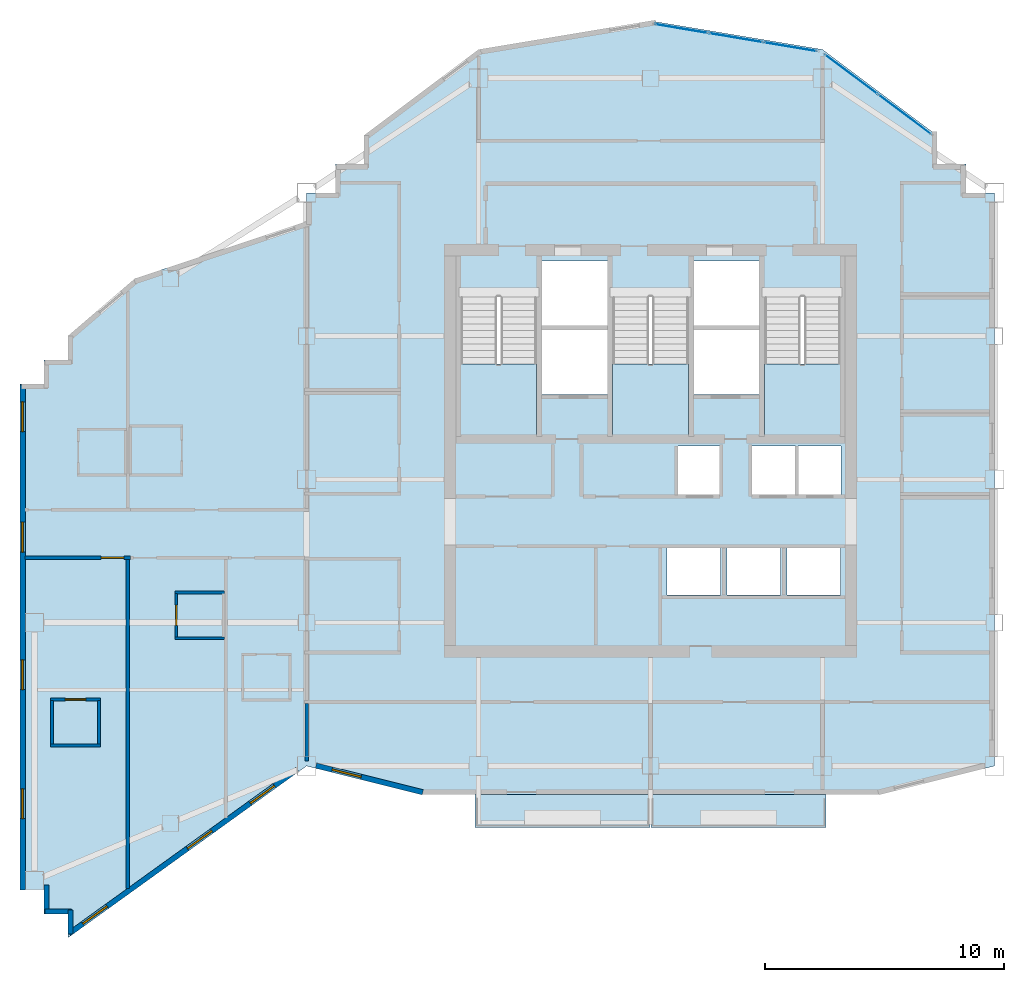
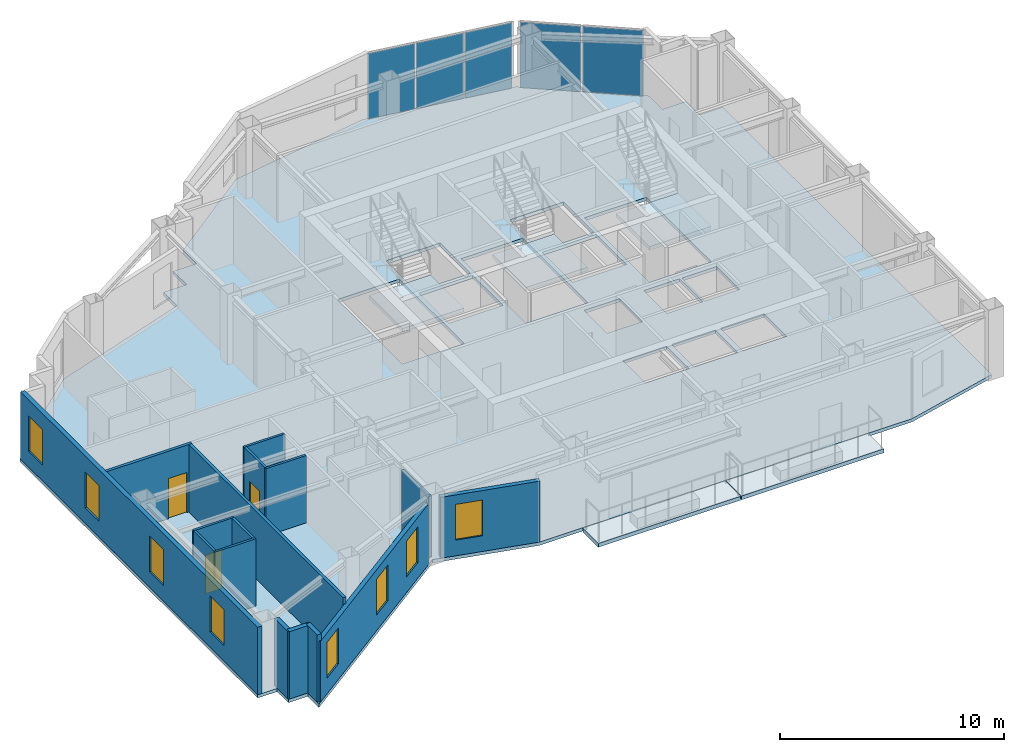
# One storey, part 4 of 9: 16 walls, 8 windows, 6 slabs, 5 plates, 3 doors, 11 openings, 5 elements without a shape of their own.
"""IFC4 building model written with IfcOpenShell, lengths in metres."""

from ifc_helpers import new_model, si_unit, direction, frame, frame_2d, origin, origin_2d, place, context, subcontext, project, spatial, polyline, rectangle, outline, extrude, material, layer, layer_set, type_object, element, fill, aggregate, save


model = new_model("IFC4")

# Units and contexts
model_context = context("Model", 3, precision=1e-05, world=origin(), true_north=direction((0.0, 1.0)))
body_context = subcontext(model_context, "Body", "Model", "MODEL_VIEW")
ifc_project = project(units=[si_unit("LENGTHUNIT", "METRE"), si_unit("AREAUNIT", "SQUARE_METRE"), si_unit("VOLUMEUNIT", "CUBIC_METRE"), si_unit("PLANEANGLEUNIT", "RADIAN"), si_unit("MASSUNIT", "GRAM", prefix="KILO")], contexts=[model_context])

# Site, building, storey
site_placement = place(None, origin())
site = spatial("IfcSite", under=ifc_project, at=site_placement, CompositionType="ELEMENT")
building_placement = place(site_placement, origin())
building = spatial("IfcBuilding", under=site, at=building_placement, Name="Haolan Belvedere Tower", CompositionType="ELEMENT")
storey_placement = place(building_placement, frame((0.0, 0.0, 262.14990234375)))
storey = spatial("IfcBuildingStorey", under=building, at=storey_placement, Name="L66", CompositionType="ELEMENT", Elevation=262.14990234375)

# Curtain wall, plates
ifc_material_1 = material(Name="Anodised champagne-silver aluminium 6063-T6 and Low-E glass", Category="aluminium")
ifc_layer_1 = layer(ifc_material_1, 0.14501953125, Name="Anodised champagne-silver aluminium 6063-T6 and Low-E glass")
ifc_layer_set_1 = layer_set([ifc_layer_1], Name="Anodised champagne-silver aluminium 6063-T6 and Low-E glass")
curtain_wall_type = type_object("IfcCurtainWallType", Name="CW-SYS-05", PredefinedType="NOTDEFINED", material=ifc_layer_set_1)
curtain_wall_1_placement = place(storey_placement, origin())
curtain_wall_1 = element("IfcCurtainWall", 1, at=curtain_wall_1_placement, inside=storey, type_object=curtain_wall_type, Name="L66 CW-SYS-05 ribbon curtain wall 8.1", PredefinedType="NOTDEFINED")
ifc_material_2 = material(Name="Double silver Low-E laminated insulating glass", Category="glass")
ifc_layer_2 = layer(ifc_material_2, 0.02197265625, Name="Double silver Low-E laminated insulating glass")
ifc_layer_set_2 = layer_set([ifc_layer_2], Name="Double silver Low-E laminated insulating glass")
plate_type = type_object("IfcPlateType", Name="CW-SYS-05-PNL", PredefinedType="CURTAIN_PANEL", material=ifc_layer_set_2)
plate_1_placement = place(storey_placement, frame((49.03955078125, 48.8828125, 0.05029296875), z_axis=(0.0, 0.0, 1.0), x_axis=(-0.799997871638, 0.600002837806, 0.0)))
plate_1 = element("IfcPlate", 2, at=plate_1_placement, type_object=plate_type, Name="CW-05 panel 1.1", PredefinedType="CURTAIN_PANEL", context=body_context, shape_type="SweptSolid", body=[
    extrude(rectangle(XDim=2.738037109375, YDim=0.02197265625, at=origin_2d()), origin(), (0.0, 0.0, 1.0), 3.570068359375),
])
plate_2_placement = place(storey_placement, frame((46.805908203125, 50.55810546875, 0.05029296875), z_axis=(0.0, 0.0, 1.0), x_axis=(-0.799997871638, 0.600002837806, 0.0)))
plate_2 = element("IfcPlate", 3, at=plate_2_placement, type_object=plate_type, Name="CW-05 panel 2.1", PredefinedType="CURTAIN_PANEL", context=body_context, shape_type="SweptSolid", body=[
    extrude(rectangle(XDim=2.738037109375, YDim=0.02197265625, at=origin_2d()), origin(), (0.0, 0.0, 1.0), 3.570068359375),
])
aggregate(curtain_wall_1, [plate_1, plate_2])

curtain_wall_2_placement = place(storey_placement, origin())
curtain_wall_2 = element("IfcCurtainWall", 4, at=curtain_wall_2_placement, inside=storey, type_object=curtain_wall_type, Name="L66 CW-SYS-05 ribbon curtain wall 9.1", PredefinedType="NOTDEFINED")
plate_3_placement = place(storey_placement, frame((44.257568359375, 51.712158203125, 0.05029296875), z_axis=(0.0, 0.0, 1.0), x_axis=(-0.98639276122, 0.164405962825, 0.0)))
plate_3 = element("IfcPlate", 5, at=plate_3_placement, type_object=plate_type, Name="CW-05 panel 1.1", PredefinedType="CURTAIN_PANEL", context=body_context, shape_type="SweptSolid", body=[
    extrude(rectangle(XDim=2.24365234375, YDim=0.02197265625, at=origin_2d()), origin(), (0.0, 0.0, 1.0), 3.570068359375),
])
plate_4_placement = place(storey_placement, frame((41.977783203125, 52.09228515625, 0.05029296875), z_axis=(0.0, 0.0, 1.0), x_axis=(-0.98639276122, 0.164405962825, 0.0)))
plate_4 = element("IfcPlate", 6, at=plate_4_placement, type_object=plate_type, Name="CW-05 panel 2.1", PredefinedType="CURTAIN_PANEL", context=body_context, shape_type="SweptSolid", body=[
    extrude(rectangle(XDim=2.270751953125, YDim=0.02197265625, at=origin_2d()), origin(), (0.0, 0.0, 1.0), 3.570068359375),
])
plate_5_placement = place(storey_placement, frame((39.697998046875, 52.47216796875, 0.05029296875), z_axis=(0.0, 0.0, 1.0), x_axis=(-0.98639276122, 0.164405962825, 0.0)))
plate_5 = element("IfcPlate", 7, at=plate_5_placement, type_object=plate_type, Name="CW-05 panel 3.1", PredefinedType="CURTAIN_PANEL", context=body_context, shape_type="SweptSolid", body=[
    extrude(rectangle(XDim=2.24365234375, YDim=0.02197265625, at=origin_2d()), origin(), (0.0, 0.0, 1.0), 3.570068359375),
])
aggregate(curtain_wall_2, [plate_3, plate_4, plate_5])

# Slabs
ifc_material_3 = material(Name="Concrete C40/50", Category="concrete")
ifc_layer_3 = layer(ifc_material_3, 0.2099609375, Name="Concrete C40/50")
ifc_layer_set_3 = layer_set([ifc_layer_3], Name="Concrete C40/50")
slab_type_1 = type_object("IfcSlabType", Name="SL-BAL-210", PredefinedType="FLOOR", material=ifc_layer_set_3)
slab_1_placement = place(storey_placement, frame((0.0, 0.0, -0.22998046875)))
element("IfcSlab", 8, at=slab_1_placement, inside=storey, type_object=slab_type_1, Name="L66 structural tree-planter balcony slab BAL-L66-S1", PredefinedType="FLOOR", context=body_context, shape_type="SweptSolid", body=[
    extrude(outline(polyline([(31.050048828125, 19.02001953125), (38.3798828125, 19.02001953125), (38.3798828125, 20.39990234375), (31.050048828125, 20.39990234375), (31.050048828125, 19.02001953125)])), origin(), (0.0, 0.0, 1.0), 0.2099609375),
])
slab_2_placement = place(storey_placement, frame((0.0, 0.0, -0.22998046875)))
element("IfcSlab", 9, at=slab_2_placement, inside=storey, type_object=slab_type_1, Name="L66 structural tree-planter balcony slab BAL-L66-S2", PredefinedType="FLOOR", context=body_context, shape_type="SweptSolid", body=[
    extrude(outline(polyline([(38.419921875, 19.02001953125), (45.75, 19.02001953125), (45.75, 20.39990234375), (38.419921875, 20.39990234375), (38.419921875, 19.02001953125)])), origin(), (0.0, 0.0, 1.0), 0.2099609375),
])
ifc_layer_4 = layer(ifc_material_3, 0.179931640625, Name="Concrete C40/50")
ifc_layer_set_4 = layer_set([ifc_layer_4], Name="Concrete C40/50")
slab_type_2 = type_object("IfcSlabType", Name="SL-FLR-180", PredefinedType="FLOOR", material=ifc_layer_set_4)
slab_3_placement = place(storey_placement, frame((0.0, 0.0, -0.179931640625)))
element("IfcSlab", 10, at=slab_3_placement, inside=storey, type_object=slab_type_2, Name="L66 structural floor slab", PredefinedType="FLOOR", context=body_context, shape_type="SweptSolid", body=[
    extrude(outline(polyline([(24.0, 21.60009765625), (28.800048828125, 20.39990234375), (48.0, 20.39990234375), (52.800048828125, 21.60009765625), (52.800048828125, 45.60009765625), (51.60009765625, 45.60009765625), (51.60009765625, 46.800048828125), (50.39990234375, 46.800048828125), (50.39990234375, 48.0), (45.60009765625, 51.60009765625), (38.39990234375, 52.800048828125), (31.199951171875, 51.60009765625), (26.39990234375, 48.0), (26.39990234375, 46.800048828125), (25.199951171875, 46.800048828125), (25.199951171875, 45.60009765625), (24.0, 45.60009765625), (24.0, 44.39990234375), (16.800048828125, 42.0), (14.0, 39.60009765625), (14.0, 38.60009765625), (13.0, 38.60009765625), (13.0, 37.60009765625), (12.0, 37.60009765625), (12.0, 16.800048828125), (12.0, 16.39990234375), (13.0, 16.39990234375), (13.0, 15.39990234375), (14.0, 15.39990234375), (14.0, 14.39990234375), (24.0, 21.60009765625)]), holes=[polyline([(30.449951171875, 41.22998046875), (30.449951171875, 35.449951171875), (33.6298828125, 35.449951171875), (33.6298828125, 41.22998046875), (30.449951171875, 41.22998046875)]), polyline([(36.81005859375, 41.22998046875), (36.81005859375, 35.449951171875), (39.989990234375, 35.449951171875), (39.989990234375, 41.22998046875), (36.81005859375, 41.22998046875)]), polyline([(43.169921875, 41.22998046875), (43.169921875, 35.449951171875), (46.35009765625, 35.449951171875), (46.35009765625, 41.22998046875), (43.169921875, 41.22998046875)]), polyline([(33.830078125, 40.050048828125), (36.610107421875, 40.050048828125), (36.610107421875, 42.75), (33.830078125, 42.75), (33.830078125, 40.050048828125)]), polyline([(33.830078125, 37.14990234375), (36.610107421875, 37.14990234375), (36.610107421875, 39.85009765625), (33.830078125, 39.85009765625), (33.830078125, 37.14990234375)]), polyline([(40.18994140625, 40.050048828125), (42.969970703125, 40.050048828125), (42.969970703125, 42.75), (40.18994140625, 42.75), (40.18994140625, 40.050048828125)]), polyline([(40.18994140625, 37.14990234375), (42.969970703125, 37.14990234375), (42.969970703125, 39.85009765625), (40.18994140625, 39.85009765625), (40.18994140625, 37.14990234375)]), polyline([(39.5400390625, 32.949951171875), (41.389892578125, 32.949951171875), (41.389892578125, 35.0), (39.5400390625, 35.0), (39.5400390625, 32.949951171875)]), polyline([(42.6201171875, 32.949951171875), (44.469970703125, 32.949951171875), (44.469970703125, 35.0), (42.6201171875, 35.0), (42.6201171875, 32.949951171875)]), polyline([(44.580078125, 32.949951171875), (46.3798828125, 32.949951171875), (46.3798828125, 35.0), (44.580078125, 35.0), (44.580078125, 32.949951171875)]), polyline([(39.10009765625, 28.75), (41.340087890625, 28.75), (41.340087890625, 30.75), (39.10009765625, 30.75), (39.10009765625, 28.75)]), polyline([(41.610107421875, 28.75), (43.85009765625, 28.75), (43.85009765625, 30.75), (41.610107421875, 30.75), (41.610107421875, 28.75)]), polyline([(44.1201171875, 28.75), (46.360107421875, 28.75), (46.360107421875, 30.75), (44.1201171875, 30.75), (44.1201171875, 28.75)])]), origin(), (0.0, 0.0, 1.0), 0.179931640625),
])

# Stair, slab
stair_type = type_object("IfcStairType", Name="STR-DL-22R-175", PredefinedType="HALF_TURN_STAIR", material=ifc_material_3)
stair_1_placement = place(storey_placement, origin())
stair_1 = element("IfcStair", 11, at=stair_1_placement, inside=storey, type_object=stair_type, Name="L66 Smokeproof Core Exit Stair ST1", PredefinedType="HALF_TURN_STAIR")
ifc_layer_5 = layer(ifc_material_3, 0.199951171875, Name="Concrete C40/50")
ifc_layer_set_5 = layer_set([ifc_layer_5], Name="Concrete C40/50")
slab_type_3 = type_object("IfcSlabType", Name="SL-LAND-200", PredefinedType="LANDING", material=ifc_layer_set_5)
slab_4_placement = place(storey_placement, frame((0.0, 0.0, 1.72509765625)))
slab_4 = element("IfcSlab", 12, at=slab_4_placement, type_object=slab_type_3, Name="ST1 landing 1", PredefinedType="LANDING", context=body_context, shape_type="SweptSolid", body=[
    extrude(outline(polyline([(30.449951171875, 38.429931640625), (30.449951171875, 35.449951171875), (33.6298828125, 35.449951171875), (33.6298828125, 38.429931640625), (30.449951171875, 38.429931640625)])), origin(), (0.0, 0.0, 1.0), 0.199951171875),
])
aggregate(stair_1, [slab_4])

stair_2_placement = place(storey_placement, origin())
stair_2 = element("IfcStair", 13, at=stair_2_placement, inside=storey, type_object=stair_type, Name="L66 Smokeproof Core Exit Stair ST3", PredefinedType="HALF_TURN_STAIR")
slab_5_placement = place(storey_placement, frame((0.0, 0.0, 1.72509765625)))
slab_5 = element("IfcSlab", 14, at=slab_5_placement, type_object=slab_type_3, Name="ST3 landing 1", PredefinedType="LANDING", context=body_context, shape_type="SweptSolid", body=[
    extrude(outline(polyline([(36.81005859375, 38.429931640625), (36.81005859375, 35.449951171875), (39.989990234375, 35.449951171875), (39.989990234375, 38.429931640625), (36.81005859375, 38.429931640625)])), origin(), (0.0, 0.0, 1.0), 0.199951171875),
])
aggregate(stair_2, [slab_5])

stair_3_placement = place(storey_placement, origin())
stair_3 = element("IfcStair", 15, at=stair_3_placement, inside=storey, type_object=stair_type, Name="L66 Smokeproof Core Exit Stair ST2", PredefinedType="HALF_TURN_STAIR")
slab_6_placement = place(storey_placement, frame((0.0, 0.0, 1.72509765625)))
slab_6 = element("IfcSlab", 16, at=slab_6_placement, type_object=slab_type_3, Name="ST2 landing 1", PredefinedType="LANDING", context=body_context, shape_type="SweptSolid", body=[
    extrude(outline(polyline([(43.169921875, 38.429931640625), (43.169921875, 35.449951171875), (46.35009765625, 35.449951171875), (46.35009765625, 38.429931640625), (43.169921875, 38.429931640625)])), origin(), (0.0, 0.0, 1.0), 0.199951171875),
])
aggregate(stair_3, [slab_6])

# Wall, openings, windows
ifc_material_4 = material(Name="Precast concrete C40/50", Category="concrete")
ifc_layer_6 = layer(ifc_material_4, 0.219970703125, Name="Precast concrete C40/50")
ifc_layer_set_6 = layer_set([ifc_layer_6], Name="Precast concrete C40/50")
wall_type_1 = type_object("IfcWallType", Name="WL-EXT-220", PredefinedType="SOLIDWALL", material=ifc_layer_set_6)
wall_1_placement = place(storey_placement, frame((12.110107421875, 37.544921875, 0.0), z_axis=(0.0, 0.0, 1.0), x_axis=(0.0, -1.0, 0.0)))
wall_1 = element("IfcWall", 17, at=wall_1_placement, inside=storey, type_object=wall_type_1, Name="L66 pale-metal exterior spandrel wall 23.1", PredefinedType="SOLIDWALL", context=body_context, shape_type="SweptSolid", body=[
    extrude(rectangle(XDim=21.14501953125, YDim=0.219970703125, at=frame_2d((10.572509765625, 0.0))), origin(), (0.0, 0.0, 1.0), 3.670166015625),
])
opening_1_placement = place(wall_1_placement, frame((0.699951171875, 0.0, 0.85009765625)))
opening_1 = element("IfcOpeningElement", 18, at=opening_1_placement, cuts=wall_1, Name="Opening W-04", PredefinedType="OPENING", context=body_context, shape_type="SweptSolid", body=[
    extrude(rectangle(XDim=1.25, YDim=1.949951171875, at=frame_2d((0.625, 0.97509765625))), frame((0.0, 0.119873046875, 0.0), z_axis=(0.0, -1.0, 0.0), x_axis=(1.0, 0.0, 0.0)), (0.0, 0.0, 1.0), 0.239990234375),
])
opening_2_placement = place(wall_1_placement, frame((5.739990234375, 0.0, 0.85009765625)))
opening_2 = element("IfcOpeningElement", 19, at=opening_2_placement, cuts=wall_1, Name="Opening W-04", PredefinedType="OPENING", context=body_context, shape_type="SweptSolid", body=[
    extrude(rectangle(XDim=1.25, YDim=1.949951171875, at=frame_2d((0.625, 0.97509765625))), frame((0.0, 0.119873046875, 0.0), z_axis=(0.0, -1.0, 0.0), x_axis=(1.0, 0.0, 0.0)), (0.0, 0.0, 1.0), 0.239990234375),
])
opening_3_placement = place(wall_1_placement, frame((11.5, 0.0, 0.85009765625)))
opening_3 = element("IfcOpeningElement", 20, at=opening_3_placement, cuts=wall_1, Name="Opening W-04", PredefinedType="OPENING", context=body_context, shape_type="SweptSolid", body=[
    extrude(rectangle(XDim=1.25, YDim=1.949951171875, at=frame_2d((0.625, 0.97509765625))), frame((0.0, 0.119873046875, 0.0), z_axis=(0.0, -1.0, 0.0), x_axis=(1.0, 0.0, 0.0)), (0.0, 0.0, 1.0), 0.239990234375),
])
opening_4_placement = place(wall_1_placement, frame((16.89990234375, 0.0, 0.85009765625)))
opening_4 = element("IfcOpeningElement", 21, at=opening_4_placement, cuts=wall_1, Name="Opening W-04", PredefinedType="OPENING", context=body_context, shape_type="SweptSolid", body=[
    extrude(rectangle(XDim=1.25, YDim=1.949951171875, at=frame_2d((0.625, 0.97509765625))), frame((0.0, 0.119873046875, 0.0), z_axis=(0.0, -1.0, 0.0), x_axis=(1.0, 0.0, 0.0)), (0.0, 0.0, 1.0), 0.239990234375),
])
ifc_material_5 = material(Name="Anodised aluminium 6063-T6 and Low-E glass", Category="aluminium")
window_type = type_object("IfcWindowType", Name="WN-DECO-Z4", PartitioningType="SINGLE_PANEL", PredefinedType="WINDOW", material=ifc_material_5)
window_1_placement = place(opening_1_placement, origin())
window_1 = element("IfcWindow", 22, at=window_1_placement, inside=storey, type_object=window_type, Name="L66 Art Deco chevron window 1", OverallHeight=1.949951171875, OverallWidth=1.25, PartitioningType="SINGLE_PANEL", PredefinedType="WINDOW", context=body_context, shape_type="SweptSolid", body=[
    extrude(rectangle(XDim=1.25, YDim=1.949951171875, at=frame_2d((0.625, 0.97509765625))), frame((0.0, 0.030029296875, 0.0), z_axis=(0.0, -1.0, 0.0), x_axis=(1.0, 0.0, 0.0)), (0.0, 0.0, 1.0), 0.06005859375),
])
fill(opening_1, window_1)
window_2_placement = place(opening_2_placement, origin())
window_2 = element("IfcWindow", 23, at=window_2_placement, inside=storey, type_object=window_type, Name="L66 Art Deco chevron window 2", OverallHeight=1.949951171875, OverallWidth=1.25, PartitioningType="SINGLE_PANEL", PredefinedType="WINDOW", context=body_context, shape_type="SweptSolid", body=[
    extrude(rectangle(XDim=1.25, YDim=1.949951171875, at=frame_2d((0.625, 0.97509765625))), frame((0.0, 0.030029296875, 0.0), z_axis=(0.0, -1.0, 0.0), x_axis=(1.0, 0.0, 0.0)), (0.0, 0.0, 1.0), 0.06005859375),
])
fill(opening_2, window_2)
window_3_placement = place(opening_3_placement, origin())
window_3 = element("IfcWindow", 24, at=window_3_placement, inside=storey, type_object=window_type, Name="L66 Art Deco chevron window 3", OverallHeight=1.949951171875, OverallWidth=1.25, PartitioningType="SINGLE_PANEL", PredefinedType="WINDOW", context=body_context, shape_type="SweptSolid", body=[
    extrude(rectangle(XDim=1.25, YDim=1.949951171875, at=frame_2d((0.625, 0.97509765625))), frame((0.0, 0.030029296875, 0.0), z_axis=(0.0, -1.0, 0.0), x_axis=(1.0, 0.0, 0.0)), (0.0, 0.0, 1.0), 0.06005859375),
])
fill(opening_3, window_3)
window_4_placement = place(opening_4_placement, origin())
window_4 = element("IfcWindow", 25, at=window_4_placement, inside=storey, type_object=window_type, Name="L66 Art Deco chevron window 4", OverallHeight=1.949951171875, OverallWidth=1.25, PartitioningType="SINGLE_PANEL", PredefinedType="WINDOW", context=body_context, shape_type="SweptSolid", body=[
    extrude(rectangle(XDim=1.25, YDim=1.949951171875, at=frame_2d((0.625, 0.97509765625))), frame((0.0, 0.030029296875, 0.0), z_axis=(0.0, -1.0, 0.0), x_axis=(1.0, 0.0, 0.0)), (0.0, 0.0, 1.0), 0.06005859375),
])
fill(opening_4, window_4)

# Walls
wall_2_placement = place(storey_placement, frame((13.110107421875, 16.6201171875, 0.0), z_axis=(0.0, 0.0, 1.0), x_axis=(0.0, -1.0, 0.0)))
element("IfcWall", 26, at=wall_2_placement, inside=storey, type_object=wall_type_1, Name="L66 pale-metal exterior spandrel wall 25.1", PredefinedType="SOLIDWALL", context=body_context, shape_type="SweptSolid", body=[
    extrude(rectangle(XDim=1.1650390625, YDim=0.219970703125, at=frame_2d((0.58251953125, 0.0))), origin(), (0.0, 0.0, 1.0), 3.670166015625),
])
wall_3_placement = place(storey_placement, frame((13.054931640625, 15.510009765625, 0.0), z_axis=(0.0, 0.0, 1.0), x_axis=(1.0, 0.0, 0.0)))
element("IfcWall", 27, at=wall_3_placement, inside=storey, type_object=wall_type_1, Name="L66 pale-metal exterior spandrel wall 26.1", PredefinedType="SOLIDWALL", context=body_context, shape_type="SweptSolid", body=[
    extrude(rectangle(XDim=1.110107421875, YDim=0.219970703125, at=frame_2d((0.55517578125, 0.0))), origin(), (0.0, 0.0, 1.0), 3.670166015625),
])
wall_4_placement = place(storey_placement, frame((14.110107421875, 15.56494140625, 0.0), z_axis=(0.0, 0.0, 1.0), x_axis=(0.0, -1.0, 0.0)))
element("IfcWall", 28, at=wall_4_placement, inside=storey, type_object=wall_type_1, Name="L66 pale-metal exterior spandrel wall 27.1", PredefinedType="SOLIDWALL", context=body_context, shape_type="SweptSolid", body=[
    extrude(rectangle(XDim=1.005126953125, YDim=0.219970703125, at=frame_2d((0.50244140625, 0.0))), origin(), (0.0, 0.0, 1.0), 3.670166015625),
])

# Wall, openings, windows
wall_5_placement = place(storey_placement, frame((14.0654296875, 14.58251953125, 0.0), z_axis=(0.0, 0.0, 1.0), x_axis=(0.811523708458, 0.584319493608, 0.0)))
wall_5 = element("IfcWall", 29, at=wall_5_placement, inside=storey, type_object=wall_type_1, Name="L66 pale-metal exterior spandrel wall 28.1", PredefinedType="SOLIDWALL", context=body_context, shape_type="SweptSolid", body=[
    extrude(rectangle(XDim=11.7587890625, YDim=0.219970703125, at=frame_2d((5.87939453125, 0.0))), origin(), (0.0, 0.0, 1.0), 3.315185546875),
])
opening_5_placement = place(wall_5_placement, frame((0.699951171875, 0.0, 0.85009765625)))
opening_5 = element("IfcOpeningElement", 30, at=opening_5_placement, cuts=wall_5, Name="Opening W-04", PredefinedType="OPENING", context=body_context, shape_type="SweptSolid", body=[
    extrude(rectangle(XDim=1.25, YDim=1.949951171875, at=frame_2d((0.625, 0.97509765625))), frame((0.0, 0.119873046875, 0.0), z_axis=(0.0, -1.0, 0.0), x_axis=(1.0, 0.0, 0.0)), (0.0, 0.0, 1.0), 0.239990234375),
])
opening_6_placement = place(wall_5_placement, frame((6.10009765625, 0.0, 0.85009765625)))
opening_6 = element("IfcOpeningElement", 31, at=opening_6_placement, cuts=wall_5, Name="Opening W-04", PredefinedType="OPENING", context=body_context, shape_type="SweptSolid", body=[
    extrude(rectangle(XDim=1.25, YDim=1.949951171875, at=frame_2d((0.625, 0.97509765625))), frame((0.0, 0.119873046875, 0.0), z_axis=(0.0, -1.0, 0.0), x_axis=(1.0, 0.0, 0.0)), (0.0, 0.0, 1.0), 0.239990234375),
])
opening_7_placement = place(wall_5_placement, frame((9.336181640625, 0.0, 0.85009765625)))
opening_7 = element("IfcOpeningElement", 32, at=opening_7_placement, cuts=wall_5, Name="Opening W-04", PredefinedType="OPENING", context=body_context, shape_type="SweptSolid", body=[
    extrude(rectangle(XDim=1.25, YDim=1.949951171875, at=frame_2d((0.625, 0.97509765625))), frame((0.0, 0.119873046875, 0.0), z_axis=(0.0, -1.0, 0.0), x_axis=(1.0, 0.0, 0.0)), (0.0, 0.0, 1.0), 0.239990234375),
])
window_5_placement = place(opening_5_placement, origin())
window_5 = element("IfcWindow", 33, at=window_5_placement, inside=storey, type_object=window_type, Name="L66 Art Deco chevron window 1", OverallHeight=1.949951171875, OverallWidth=1.25, PartitioningType="SINGLE_PANEL", PredefinedType="WINDOW", context=body_context, shape_type="SweptSolid", body=[
    extrude(rectangle(XDim=1.25, YDim=1.949951171875, at=frame_2d((0.625, 0.97509765625))), frame((0.0, 0.030029296875, 0.0), z_axis=(0.0, -1.0, 0.0), x_axis=(1.0, 0.0, 0.0)), (0.0, 0.0, 1.0), 0.06005859375),
])
fill(opening_5, window_5)
window_6_placement = place(opening_6_placement, origin())
window_6 = element("IfcWindow", 34, at=window_6_placement, inside=storey, type_object=window_type, Name="L66 Art Deco chevron window 2", OverallHeight=1.949951171875, OverallWidth=1.25, PartitioningType="SINGLE_PANEL", PredefinedType="WINDOW", context=body_context, shape_type="SweptSolid", body=[
    extrude(rectangle(XDim=1.25, YDim=1.949951171875, at=frame_2d((0.625, 0.97509765625))), frame((0.0, 0.030029296875, 0.0), z_axis=(0.0, -1.0, 0.0), x_axis=(1.0, 0.0, 0.0)), (0.0, 0.0, 1.0), 0.06005859375),
])
fill(opening_6, window_6)
window_7_placement = place(opening_7_placement, origin())
window_7 = element("IfcWindow", 35, at=window_7_placement, inside=storey, type_object=window_type, Name="L66 Art Deco guestroom window 1", OverallHeight=1.949951171875, OverallWidth=1.25, PartitioningType="SINGLE_PANEL", PredefinedType="WINDOW", context=body_context, shape_type="SweptSolid", body=[
    extrude(rectangle(XDim=1.25, YDim=1.949951171875, at=frame_2d((0.625, 0.97509765625))), frame((0.0, 0.030029296875, 0.0), z_axis=(0.0, -1.0, 0.0), x_axis=(1.0, 0.0, 0.0)), (0.0, 0.0, 1.0), 0.06005859375),
])
fill(opening_7, window_7)

# Wall, opening, window
wall_6_placement = place(storey_placement, frame((24.39208984375, 21.615478515625, 0.0), z_axis=(0.0, 0.0, 1.0), x_axis=(0.970133159038, -0.242572986408, 0.0)))
wall_6 = element("IfcWall", 36, at=wall_6_placement, inside=storey, type_object=wall_type_1, Name="L66 pale-metal exterior spandrel wall 29.1", PredefinedType="SOLIDWALL", context=body_context, shape_type="SweptSolid", body=[
    extrude(rectangle(XDim=4.612548828125, YDim=0.219970703125, at=frame_2d((2.30615234375, 0.0))), origin(), (0.0, 0.0, 1.0), 3.315185546875),
])
opening_8_placement = place(wall_6_placement, frame((0.699951171875, 0.0, 0.85009765625)))
opening_8 = element("IfcOpeningElement", 37, at=opening_8_placement, cuts=wall_6, Name="Opening W-04", PredefinedType="OPENING", context=body_context, shape_type="SweptSolid", body=[
    extrude(rectangle(XDim=1.25, YDim=1.949951171875, at=frame_2d((0.625, 0.97509765625))), frame((0.0, 0.119873046875, 0.0), z_axis=(0.0, -1.0, 0.0), x_axis=(1.0, 0.0, 0.0)), (0.0, 0.0, 1.0), 0.239990234375),
])
window_8_placement = place(opening_8_placement, origin())
window_8 = element("IfcWindow", 38, at=window_8_placement, inside=storey, type_object=window_type, Name="L66 Art Deco chevron window 1", OverallHeight=1.949951171875, OverallWidth=1.25, PartitioningType="SINGLE_PANEL", PredefinedType="WINDOW", context=body_context, shape_type="SweptSolid", body=[
    extrude(rectangle(XDim=1.25, YDim=1.949951171875, at=frame_2d((0.625, 0.97509765625))), frame((0.0, 0.030029296875, 0.0), z_axis=(0.0, -1.0, 0.0), x_axis=(1.0, 0.0, 0.0)), (0.0, 0.0, 1.0), 0.06005859375),
])
fill(opening_8, window_8)

# Wall
ifc_material_6 = material(Name="Double gypsum acoustic stud partition", Category="masonry")
ifc_layer_7 = layer(ifc_material_6, 0.14990234375, Name="Double gypsum acoustic stud partition")
ifc_layer_set_7 = layer_set([ifc_layer_7], Name="Double gypsum acoustic stud partition")
wall_type_2 = type_object("IfcWallType", Name="WL-PART-150", PredefinedType="PARTITIONING", material=ifc_layer_set_7)
wall_7_placement = place(storey_placement, frame((24.0, 21.818603515625, 0.0), z_axis=(0.0, 0.0, 1.0), x_axis=(0.0, 1.0, 0.0)))
element("IfcWall", 39, at=wall_7_placement, inside=storey, type_object=wall_type_2, Name="L66 interior partition IW-L66-KS1-W", PredefinedType="PARTITIONING", context=body_context, shape_type="SweptSolid", body=[
    extrude(rectangle(XDim=2.4013671875, YDim=0.14990234375, at=frame_2d((1.20068359375, 0.0))), origin(), (0.0, 0.0, 1.0), 3.315185546875),
])

# Wall, opening, door
wall_8_placement = place(storey_placement, frame((12.2119140625, 30.320068359375, 0.0), z_axis=(0.0, 0.0, 1.0), x_axis=(1.0, 0.0, 0.0)))
wall_8 = element("IfcWall", 40, at=wall_8_placement, inside=storey, type_object=wall_type_2, Name="L66 interior partition IW-L66-T2S1-N", PredefinedType="PARTITIONING", context=body_context, shape_type="SweptSolid", body=[
    extrude(rectangle(XDim=4.408203125, YDim=0.14990234375, at=frame_2d((2.2041015625, 0.0))), origin(), (0.0, 0.0, 1.0), 3.670166015625),
])
opening_9_placement = place(wall_8_placement, frame((4.1357421875, 0.0, 0.0), z_axis=(0.0, 0.0, 1.0), x_axis=(-1.0, 0.0, 0.0)))
opening_9 = element("IfcOpeningElement", 41, at=opening_9_placement, cuts=wall_8, Name="Opening ID-01", PredefinedType="OPENING", context=body_context, shape_type="SweptSolid", body=[
    extrude(rectangle(XDim=0.949951171875, YDim=2.179931640625, at=frame_2d((0.47509765625, 1.08984375))), frame((0.0, 0.0849609375, 0.0), z_axis=(0.0, -1.0, 0.0), x_axis=(1.0, 0.0, 0.0)), (0.0, 0.0, 1.0), 0.169921875),
])
ifc_material_7 = material(Name="Acoustic walnut veneer fire-rated timber", Category="wood")
door_type_1 = type_object("IfcDoorType", Name="DR-SUITE-950", OperationType="NOTDEFINED", PredefinedType="DOOR", material=ifc_material_7)
door_1_placement = place(opening_9_placement, origin())
door_1 = element("IfcDoor", 42, at=door_1_placement, inside=storey, type_object=door_type_1, Name="L66 door ID-L66-T2S1-ENT", OperationType="SINGLE_SWING_RIGHT", OverallHeight=2.179931640625, OverallWidth=0.949951171875, PredefinedType="DOOR", context=body_context, shape_type="SweptSolid", body=[
    extrude(rectangle(XDim=0.949951171875, YDim=2.179931640625, at=frame_2d((0.47509765625, 1.08984375))), frame((0.0, 0.02490234375, 0.0), z_axis=(0.0, -1.0, 0.0), x_axis=(1.0, 0.0, 0.0)), (0.0, 0.0, 1.0), 0.050048828125),
])
fill(opening_9, door_1)

# Wall
wall_9_placement = place(storey_placement, frame((16.52001953125, 16.4755859375, 0.0), z_axis=(0.0, 0.0, 1.0), x_axis=(0.0, 1.0, 0.0)))
element("IfcWall", 43, at=wall_9_placement, inside=storey, type_object=wall_type_2, Name="L66 interior partition IW-L66-T2S1-E", PredefinedType="PARTITIONING", context=body_context, shape_type="SweptSolid", body=[
    extrude(rectangle(XDim=13.784423828125, YDim=0.14990234375, at=frame_2d((6.89208984375, 0.0))), origin(), (0.0, 0.0, 1.0), 3.670166015625),
])

# Wall, opening, door
ifc_material_8 = material(Name="Moisture-resistant gypsum tile partition", Category="masonry")
ifc_layer_8 = layer(ifc_material_8, 0.1201171875, Name="Moisture-resistant gypsum tile partition")
ifc_layer_set_8 = layer_set([ifc_layer_8], Name="Moisture-resistant gypsum tile partition")
wall_type_3 = type_object("IfcWallType", Name="WL-WET-120", PredefinedType="PARTITIONING", material=ifc_layer_set_8)
wall_10_placement = place(storey_placement, frame((13.27490234375, 24.385009765625, 0.0), z_axis=(0.0, 0.0, 1.0), x_axis=(1.0, 0.0, 0.0)))
wall_10 = element("IfcWall", 44, at=wall_10_placement, inside=storey, type_object=wall_type_3, Name="L66 interior partition IW-L66-T2S1-BN", PredefinedType="PARTITIONING", context=body_context, shape_type="SweptSolid", body=[
    extrude(rectangle(XDim=2.10009765625, YDim=0.1201171875, at=frame_2d((1.050048828125, 0.0))), origin(), (0.0, 0.0, 1.0), 3.670166015625),
])
opening_10_placement = place(wall_10_placement, frame((1.47509765625, 0.0, 0.0), z_axis=(0.0, 0.0, 1.0), x_axis=(-1.0, 0.0, 0.0)))
opening_10 = element("IfcOpeningElement", 45, at=opening_10_placement, cuts=wall_10, Name="Opening ID-05", PredefinedType="OPENING", context=body_context, shape_type="SweptSolid", body=[
    extrude(rectangle(XDim=0.85009765625, YDim=2.10009765625, at=frame_2d((0.425048828125, 1.050048828125))), frame((0.0, 0.070068359375, 0.0), z_axis=(0.0, -1.0, 0.0), x_axis=(1.0, 0.0, 0.0)), (0.0, 0.0, 1.0), 0.14013671875),
])
ifc_material_9 = material(Name="Moisture-resistant lacquered timber", Category="wood")
door_type_2 = type_object("IfcDoorType", Name="DR-BATH-850", OperationType="NOTDEFINED", PredefinedType="DOOR", material=ifc_material_9)
door_2_placement = place(opening_10_placement, origin())
door_2 = element("IfcDoor", 46, at=door_2_placement, inside=storey, type_object=door_type_2, Name="L66 door ID-L66-T2S1-BATH", OperationType="SINGLE_SWING_LEFT", OverallHeight=2.10009765625, OverallWidth=0.85009765625, PredefinedType="DOOR", context=body_context, shape_type="SweptSolid", body=[
    extrude(rectangle(XDim=0.85009765625, YDim=2.10009765625, at=frame_2d((0.425048828125, 1.050048828125))), frame((0.0, 0.02490234375, 0.0), z_axis=(0.0, -1.0, 0.0), x_axis=(1.0, 0.0, 0.0)), (0.0, 0.0, 1.0), 0.050048828125),
])
fill(opening_10, door_2)

# Walls
wall_11_placement = place(storey_placement, frame((13.27490234375, 22.465087890625, 0.0), z_axis=(0.0, 0.0, 1.0), x_axis=(1.0, 0.0, 0.0)))
element("IfcWall", 47, at=wall_11_placement, inside=storey, type_object=wall_type_3, Name="L66 interior partition IW-L66-T2S1-BS", PredefinedType="PARTITIONING", context=body_context, shape_type="SweptSolid", body=[
    extrude(rectangle(XDim=2.10009765625, YDim=0.1201171875, at=frame_2d((1.050048828125, 0.0))), origin(), (0.0, 0.0, 1.0), 3.670166015625),
])
for number, where, z_axis, x_axis, name in (
    (48, (13.3349609375, 22.510009765625, 0.0), (0.0, 0.0, 1.0), (0.0, 1.0, 0.0), "L66 interior partition IW-L66-T2S1-BW"),
    (49, (15.31494140625, 22.510009765625, 0.0), (0.0, 0.0, 1.0), (0.0, 1.0, 0.0), "L66 interior partition IW-L66-T2S1-BE"),
):
    element("IfcWall", number, at=place(storey_placement, frame(where, z_axis=z_axis, x_axis=x_axis)), inside=storey, type_object=wall_type_3, Name=name, PredefinedType="PARTITIONING", context=body_context, shape_type="SweptSolid", body=[
        extrude(rectangle(XDim=1.830078125, YDim=0.1201171875, at=frame_2d((0.9150390625, 0.0))), origin(), (0.0, 0.0, 1.0), 3.670166015625),
    ])
for number, where, z_axis, x_axis, name in (
    (50, (18.47998046875, 28.8701171875, 0.0), (0.0, 0.0, 1.0), (1.0, 0.0, 0.0), "L66 interior partition IW-L66-T2S2-BN"),
    (51, (18.47998046875, 26.949951171875, 0.0), (0.0, 0.0, 1.0), (1.0, 0.0, 0.0), "L66 interior partition IW-L66-T2S2-BS"),
):
    element("IfcWall", number, at=place(storey_placement, frame(where, z_axis=z_axis, x_axis=x_axis)), inside=storey, type_object=wall_type_3, Name=name, PredefinedType="PARTITIONING", context=body_context, shape_type="SweptSolid", body=[
        extrude(rectangle(XDim=2.080078125, YDim=0.1201171875, at=frame_2d((1.0400390625, 0.0))), origin(), (0.0, 0.0, 1.0), 3.670166015625),
    ])

# Wall, opening, door
wall_12_placement = place(storey_placement, frame((18.5400390625, 26.9951171875, 0.0), z_axis=(0.0, 0.0, 1.0), x_axis=(0.0, 1.0, 0.0)))
wall_12 = element("IfcWall", 52, at=wall_12_placement, inside=storey, type_object=wall_type_3, Name="L66 interior partition IW-L66-T2S2-BW", PredefinedType="PARTITIONING", context=body_context, shape_type="SweptSolid", body=[
    extrude(rectangle(XDim=1.829833984375, YDim=0.1201171875, at=frame_2d((0.9150390625, 0.0))), origin(), (0.0, 0.0, 1.0), 3.670166015625),
])
opening_11_placement = place(wall_12_placement, frame((1.340087890625, 0.0, 0.0), z_axis=(0.0, 0.0, 1.0), x_axis=(-1.0, 0.0, 0.0)))
opening_11 = element("IfcOpeningElement", 53, at=opening_11_placement, cuts=wall_12, Name="Opening ID-05", PredefinedType="OPENING", context=body_context, shape_type="SweptSolid", body=[
    extrude(rectangle(XDim=0.85009765625, YDim=2.10009765625, at=frame_2d((0.425048828125, 1.050048828125))), frame((0.0, 0.070068359375, 0.0), z_axis=(0.0, -1.0, 0.0), x_axis=(1.0, 0.0, 0.0)), (0.0, 0.0, 1.0), 0.14013671875),
])
door_3_placement = place(opening_11_placement, origin())
door_3 = element("IfcDoor", 54, at=door_3_placement, inside=storey, type_object=door_type_2, Name="L66 door ID-L66-T2S2-BATH", OperationType="SINGLE_SWING_RIGHT", OverallHeight=2.10009765625, OverallWidth=0.85009765625, PredefinedType="DOOR", context=body_context, shape_type="SweptSolid", body=[
    extrude(rectangle(XDim=0.85009765625, YDim=2.10009765625, at=frame_2d((0.425048828125, 1.050048828125))), frame((0.0, 0.02490234375, 0.0), z_axis=(0.0, -1.0, 0.0), x_axis=(1.0, 0.0, 0.0)), (0.0, 0.0, 1.0), 0.050048828125),
])
fill(opening_11, door_3)

save(model, "model.ifc")
